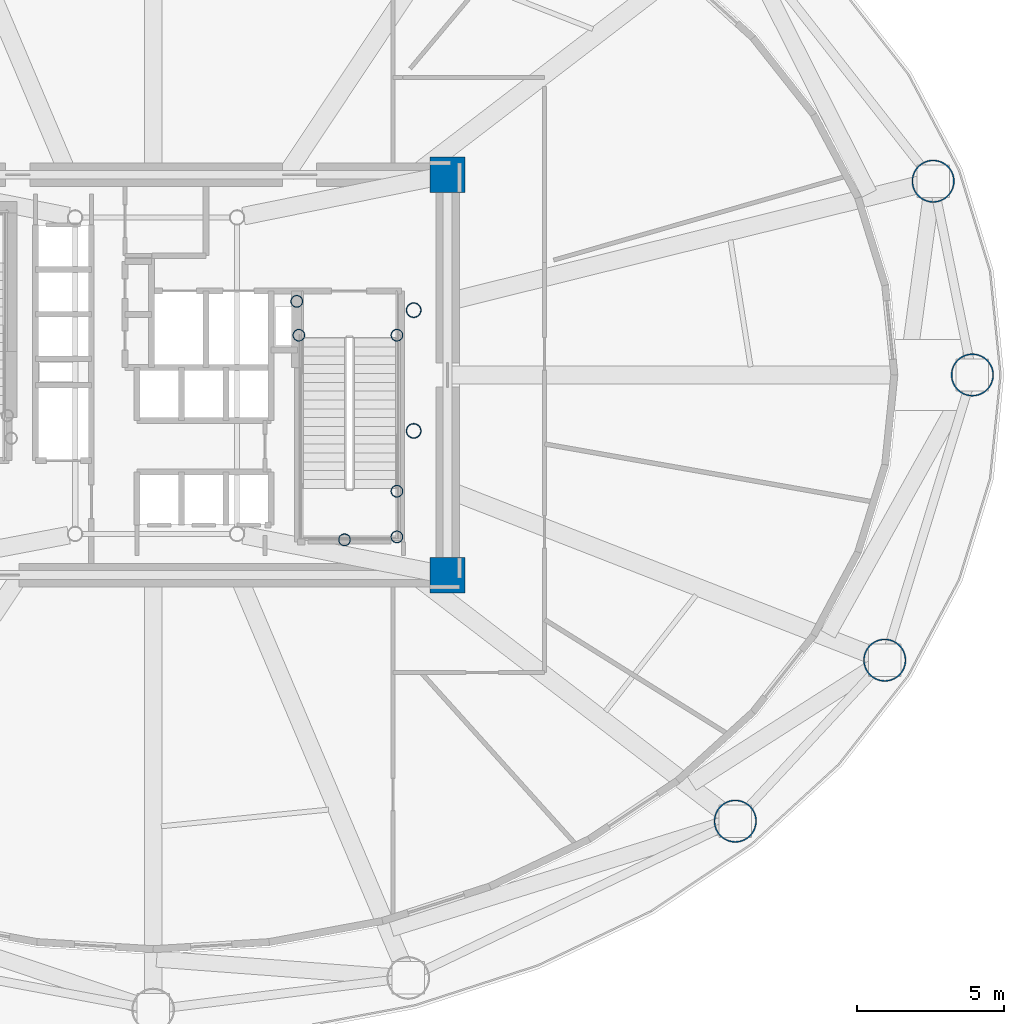
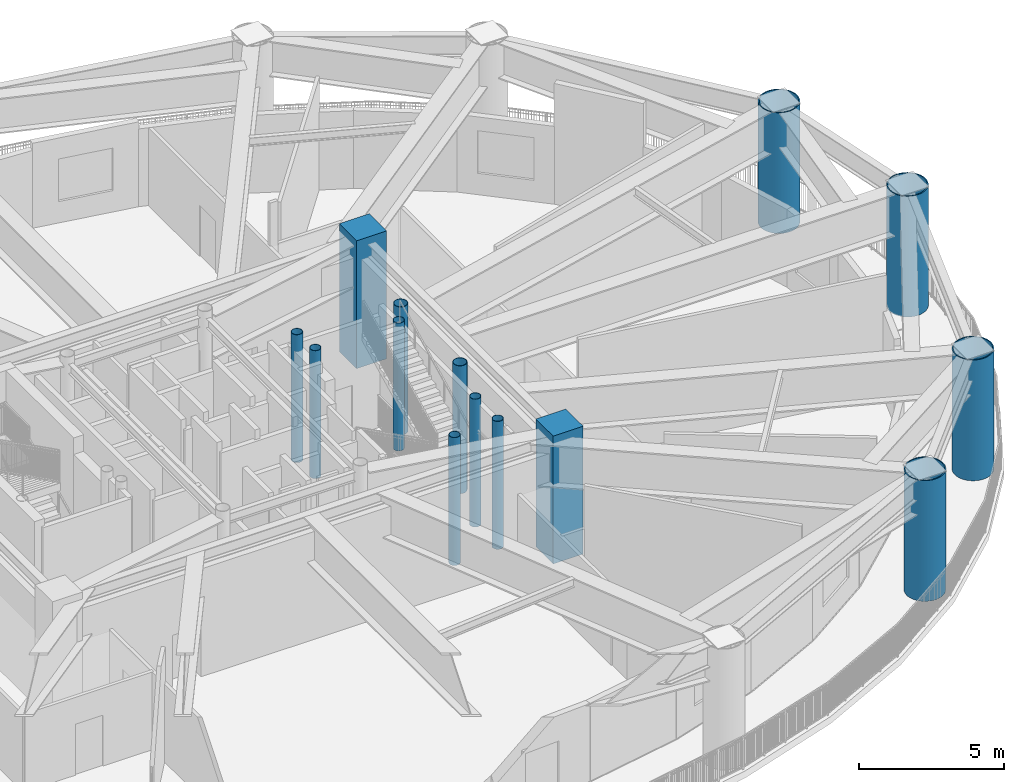
# One storey, part 2 of 15: 14 columns.
"""IFC4 building model written with IfcOpenShell, lengths in metres."""

from ifc_helpers import new_model, si_unit, direction, frame, origin, origin_2d, place, context, subcontext, project, spatial, rectangle, hollow_circle, extrude, material, material_profile, profile_set, type_object, element, save


model = new_model("IFC4")

# Units and contexts
model_context = context("Model", 3, precision=1e-05, world=origin(), true_north=direction((0.0, 1.0)))
body_context = subcontext(model_context, "Body", "Model", "MODEL_VIEW")
ifc_project = project(units=[si_unit("LENGTHUNIT", "METRE"), si_unit("AREAUNIT", "SQUARE_METRE"), si_unit("VOLUMEUNIT", "CUBIC_METRE"), si_unit("PLANEANGLEUNIT", "RADIAN"), si_unit("MASSUNIT", "GRAM", prefix="KILO")], contexts=[model_context])

# Site, building, storey
site_placement = place(None, origin())
site = spatial("IfcSite", under=ifc_project, at=site_placement, CompositionType="ELEMENT")
building_placement = place(site_placement, origin())
building = spatial("IfcBuilding", under=site, at=building_placement, Name="Linh Dai School and Residence Tower", CompositionType="ELEMENT")
storey_placement = place(building_placement, frame((0.0, 0.0, 145.949951171875)))
storey = spatial("IfcBuildingStorey", under=building, at=storey_placement, Name="L35", CompositionType="ELEMENT", Elevation=145.949951171875)

# Columns
ifc_material_1 = material(Name="Concrete B60 (C50/60)", Category="concrete")
ifc_material_profile_1 = material_profile(ifc_material_1, rectangle(XDim=1.199951171875, YDim=1.199951171875, at=origin_2d()), Name="RC 1200x1200")
ifc_profile_set_1 = profile_set([ifc_material_profile_1], Name="Concrete B60 (C50/60)")
column_type_1 = type_object("IfcColumnType", Name="COL-CC2", PredefinedType="COLUMN", material=ifc_profile_set_1)
for number, where, z_axis, x_axis, name in (
    (1, (46.0, 20.199951171875, 0.0), (0.0, 0.0, 1.0), (1.0, 0.0, 0.0), "L35 Core Corner Pier CC2"),
    (2, (46.0, 33.800048828125, 0.0), (0.0, 0.0, 1.0), (1.0, 0.0, 0.0), "L35 Core Corner Pier CC3"),
):
    element("IfcColumn", number, at=place(storey_placement, frame(where, z_axis=z_axis, x_axis=x_axis)), inside=storey, type_object=column_type_1, Name=name, PredefinedType="COLUMN", context=body_context, shape_type="SweptSolid", body=[
        extrude(rectangle(XDim=1.199951171875, YDim=1.199951171875, at=origin_2d()), origin(), (0.0, 0.0, 1.0), 5.400146484375),
    ])
ifc_material_2 = material(Name="Structural Steel S355JR", Category="steel")
ifc_material_profile_2 = material_profile(ifc_material_2, hollow_circle(Radius=0.203125, WallThickness=0.01611328125, at=origin_2d()), Name="CHS 406.4x16")
ifc_profile_set_2 = profile_set([ifc_material_profile_2], Name="Structural Steel S355JR")
column_type_2 = type_object("IfcColumnType", Name="COL-EC", PredefinedType="COLUMN", material=ifc_profile_set_2)
for number, where, z_axis, x_axis, name in (
    (3, (44.280029296875, 21.5, 0.0), (0.0, 0.0, 1.0), (1.0, 0.0, 0.0), "L35 Stair Shaft Landing Support Pier ST2SE"),
    (4, (44.280029296875, 23.050048828125, 0.0), (0.0, 0.0, 1.0), (1.0, 0.0, 0.0), "L35 Stair Shaft Landing Support Pier ST2NE"),
    (5, (42.5, 21.39990234375, 0.0), (0.0, 0.0, 1.0), (1.0, 0.0, 0.0), "L35 Stair Shaft Landing Support Pier ST2MS"),
    (6, (40.949951171875, 28.35009765625, 0.0), (0.0, 0.0, 1.0), (1.0, 0.0, 0.0), "L35 Stair Shaft Landing Support Pier ST2N1"),
    (7, (44.280029296875, 28.35009765625, 0.0), (0.0, 0.0, 1.0), (1.0, 0.0, 0.0), "L35 Stair Shaft Landing Support Pier ST2N2"),
    (8, (40.8798828125, 29.5, 0.0), (0.0, 0.0, 1.0), (1.0, 0.0, 0.0), "L35 Stair Shaft Landing Support Pier ST2N3"),
):
    element("IfcColumn", number, at=place(storey_placement, frame(where, z_axis=z_axis, x_axis=x_axis)), inside=storey, type_object=column_type_2, Name=name, PredefinedType="COLUMN", context=body_context, shape_type="SweptSolid", body=[
        extrude(hollow_circle(Radius=0.203125, WallThickness=0.01611328125, at=origin_2d()), origin(), (0.0, 0.0, 1.0), 5.400146484375),
    ])
ifc_material_profile_3 = material_profile(ifc_material_2, hollow_circle(Radius=0.72509765625, WallThickness=0.0419921875, at=origin_2d()), Name="CHS 1450x42")
ifc_profile_set_3 = profile_set([ifc_material_profile_3], Name="Structural Steel S355JR")
column_type_3 = type_object("IfcColumnType", Name="COL-MC3", PredefinedType="COLUMN", material=ifc_profile_set_3)
for number, where, z_axis, x_axis, name in (
    (9, (63.824951171875, 27.0, 0.0), (0.0, 0.0, 1.0), (1.0, 0.0, 0.0), "L35 Perimeter CFT Mega-Column MC01"),
    (10, (62.49267578125, 33.5810546875, 0.0), (0.0, 0.0, 1.0), (1.0, 0.0, 0.0), "L35 Perimeter CFT Mega-Column MC02"),
    (11, (55.772705078125, 11.844482421875, 0.0), (0.0, 0.0, 1.0), (1.0, 0.0, 0.0), "L35 Perimeter CFT Mega-Column MC15"),
    (12, (60.84912109375, 17.3125, 0.0), (0.0, 0.0, 1.0), (1.0, 0.0, 0.0), "L35 Perimeter CFT Mega-Column MC16"),
):
    element("IfcColumn", number, at=place(storey_placement, frame(where, z_axis=z_axis, x_axis=x_axis)), inside=storey, type_object=column_type_3, Name=name, PredefinedType="COLUMN", context=body_context, shape_type="SweptSolid", body=[
        extrude(hollow_circle(Radius=0.72509765625, WallThickness=0.0419921875, at=origin_2d()), origin(), (0.0, 0.0, 1.0), 5.10009765625),
    ])
ifc_material_profile_4 = material_profile(ifc_material_2, hollow_circle(Radius=0.25390625, WallThickness=0.02001953125, at=origin_2d()), Name="CHS 508x20")
ifc_profile_set_4 = profile_set([ifc_material_profile_4], Name="Structural Steel S355JR")
column_type_4 = type_object("IfcColumnType", Name="COL-MCP", PredefinedType="COLUMN", material=ifc_profile_set_4)
for number, where, z_axis, x_axis, name in (
    (13, (44.85009765625, 25.10009765625, 0.0), (0.0, 0.0, 1.0), (1.0, 0.0, 0.0), "L35 Sky-Lounge Core Anchor Pier S"),
    (14, (44.85009765625, 29.199951171875, 0.0), (0.0, 0.0, 1.0), (1.0, 0.0, 0.0), "L35 Sky-Lounge Core Anchor Pier N"),
):
    element("IfcColumn", number, at=place(storey_placement, frame(where, z_axis=z_axis, x_axis=x_axis)), inside=storey, type_object=column_type_4, Name=name, PredefinedType="COLUMN", context=body_context, shape_type="SweptSolid", body=[
        extrude(hollow_circle(Radius=0.25390625, WallThickness=0.02001953125, at=origin_2d()), origin(), (0.0, 0.0, 1.0), 5.400146484375),
    ])

save(model, "model.ifc")
